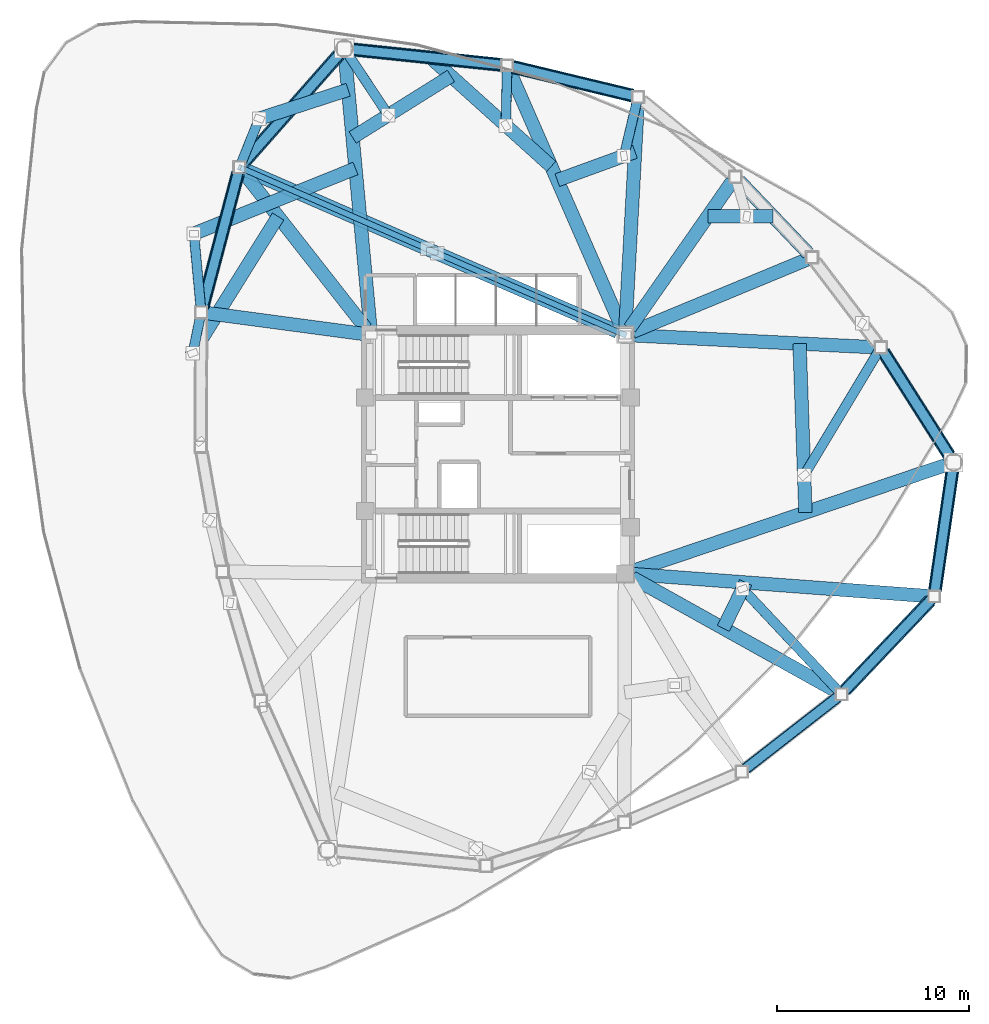
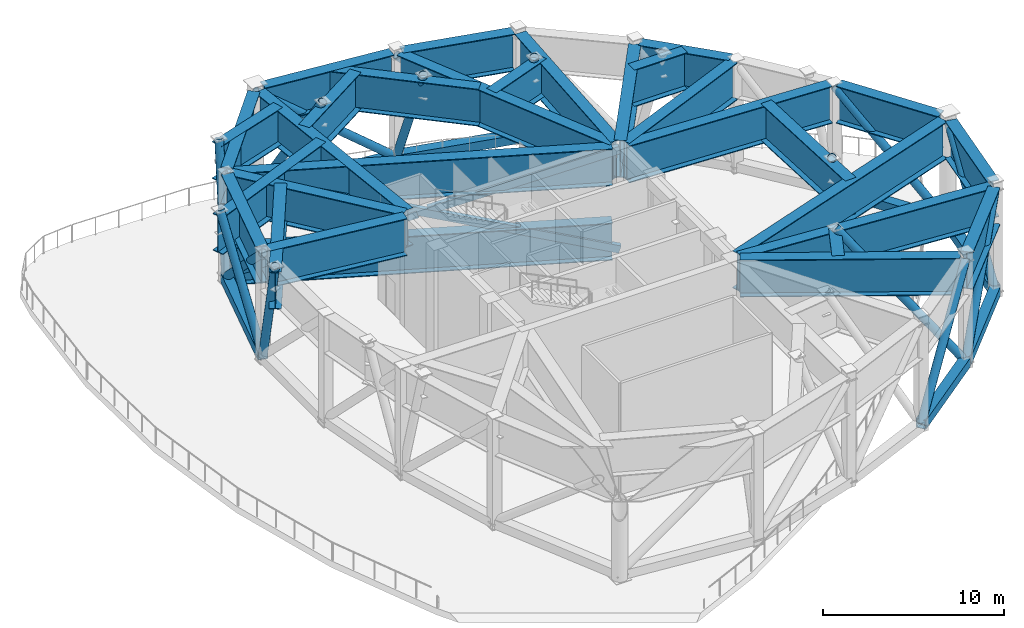
# One storey, part 2 of 8: 30 beams, 27 members.
"""IFC4 building model written with IfcOpenShell, lengths in metres."""

from ifc_helpers import new_model, si_unit, direction, frame, origin, origin_2d, place, context, subcontext, project, spatial, hollow_rectangle, hollow_circle, i_section, extrude, material, material_profile, profile_set, type_object, element, save


model = new_model("IFC4")

# Units and contexts
model_context = context("Model", 3, precision=1e-05, world=origin(), true_north=direction((0.0, 1.0)))
body_context = subcontext(model_context, "Body", "Model", "MODEL_VIEW")
ifc_project = project(units=[si_unit("LENGTHUNIT", "METRE"), si_unit("AREAUNIT", "SQUARE_METRE"), si_unit("VOLUMEUNIT", "CUBIC_METRE"), si_unit("PLANEANGLEUNIT", "RADIAN"), si_unit("MASSUNIT", "GRAM", prefix="KILO")], contexts=[model_context])

# Site, building, storey
site_placement = place(None, origin())
site = spatial("IfcSite", under=ifc_project, at=site_placement, CompositionType="ELEMENT")
building_placement = place(site_placement, origin())
building = spatial("IfcBuilding", under=site, at=building_placement, Name="Tavelor Broadcast Tower", CompositionType="ELEMENT")
storey_placement = place(building_placement, frame((0.0, 0.0, 209.14990234375)))
storey = spatial("IfcBuildingStorey", under=building, at=storey_placement, Name="L50", CompositionType="ELEMENT", Elevation=209.14990234375)

# Beams
ifc_material = material(Name="Steel S460", Category="steel")
ifc_material_profile_1 = material_profile(ifc_material, i_section(OverallWidth=0.699951171875, OverallDepth=2.5, WebThickness=0.031982421875, FlangeThickness=0.052001953125, at=origin_2d()), Name="PG 2500x700")
ifc_profile_set_1 = profile_set([ifc_material_profile_1], Name="Steel S460")
beam_type_1 = type_object("IfcBeamType", Name="Opposite Slide Transfer Girder HEB900", PredefinedType="BEAM", material=ifc_profile_set_1)
beam_1_placement = place(storey_placement, frame((41.720947265625, 65.7509765625, 6.25), z_axis=(-0.661625943185, -0.749834055845, 0.0), x_axis=(0.749834055845, -0.661625943185, 0.0)))
element("IfcBeam", 1, at=beam_1_placement, inside=storey, type_object=beam_type_1, Name="L50 Framed-Tube Ring Spandrel 01", PredefinedType="BEAM", context=body_context, shape_type="SweptSolid", body=[
    extrude(i_section(OverallWidth=0.699951171875, OverallDepth=2.5, WebThickness=0.031982421875, FlangeThickness=0.052001953125, at=origin_2d()), origin(), (0.0, 0.0, 1.0), 7.500732421875),
])
beam_2_placement = place(storey_placement, frame((36.493896484375, 59.63232421875, 6.25), z_axis=(-0.255762341211, -0.96673968824, 0.0), x_axis=(0.96673968824, -0.255762341211, 0.0)))
element("IfcBeam", 2, at=beam_2_placement, inside=storey, type_object=beam_type_1, Name="L50 Framed-Tube Ring Spandrel 02", PredefinedType="BEAM", context=body_context, shape_type="SweptSolid", body=[
    extrude(i_section(OverallWidth=0.699951171875, OverallDepth=2.5, WebThickness=0.031982421875, FlangeThickness=0.052001953125, at=origin_2d()), origin(), (0.0, 0.0, 1.0), 7.214599609375),
])
beam_3_placement = place(storey_placement, frame((68.04052734375, 32.74072265625, 6.25), z_axis=(0.688387662899, 0.725342970993, 0.0), x_axis=(-0.725342970993, 0.688387662899, 0.0)))
element("IfcBeam", 3, at=beam_3_placement, inside=storey, type_object=beam_type_1, Name="L50 Framed-Tube Ring Spandrel 11", PredefinedType="BEAM", context=body_context, shape_type="SweptSolid", body=[
    extrude(i_section(OverallWidth=0.699951171875, OverallDepth=2.5, WebThickness=0.031982421875, FlangeThickness=0.052001953125, at=origin_2d()), origin(), (0.0, 0.0, 1.0), 6.42138671875),
])
beam_4_placement = place(storey_placement, frame((72.700927734375, 37.892333984375, 6.25), z_axis=(0.144298223799, 0.989534245293, 0.0), x_axis=(-0.989534245293, 0.144298223799, 0.0)))
element("IfcBeam", 4, at=beam_4_placement, inside=storey, type_object=beam_type_1, Name="L50 Framed-Tube Ring Spandrel 12", PredefinedType="BEAM", context=body_context, shape_type="SweptSolid", body=[
    extrude(i_section(OverallWidth=0.699951171875, OverallDepth=2.5, WebThickness=0.031982421875, FlangeThickness=0.052001953125, at=origin_2d()), origin(), (0.0, 0.0, 1.0), 6.3193359375),
])
beam_5_placement = place(storey_placement, frame((73.440673828125, 44.94970703125, 6.25), z_axis=(-0.536287336864, 0.844035480486, 0.0), x_axis=(-0.844035480486, -0.536287336864, 0.0)))
element("IfcBeam", 5, at=beam_5_placement, inside=storey, type_object=beam_type_1, Name="L50 Framed-Tube Ring Spandrel 13", PredefinedType="BEAM", context=body_context, shape_type="SweptSolid", body=[
    extrude(i_section(OverallWidth=0.699951171875, OverallDepth=2.5, WebThickness=0.031982421875, FlangeThickness=0.052001953125, at=origin_2d()), origin(), (0.0, 0.0, 1.0), 6.340087890625),
])
beam_6_placement = place(storey_placement, frame((66.123291015625, 55.437255859375, 6.25), z_axis=(-0.689936010055, 0.723870362723, 0.0), x_axis=(-0.723870362723, -0.689936010055, 0.0)))
element("IfcBeam", 6, at=beam_6_placement, inside=storey, type_object=beam_type_1, Name="L50 Framed-Tube Ring Spandrel 15", PredefinedType="BEAM", context=body_context, shape_type="SweptSolid", body=[
    extrude(i_section(OverallWidth=0.699951171875, OverallDepth=2.5, WebThickness=0.031982421875, FlangeThickness=0.052001953125, at=origin_2d()), origin(), (0.0, 0.0, 1.0), 5.208740234375),
])
beam_7_placement = place(storey_placement, frame((56.99658203125, 63.635498046875, 6.25), z_axis=(-0.972354853411, 0.233508113452, 0.0), x_axis=(-0.233508113452, -0.972354853411, 0.0)))
element("IfcBeam", 7, at=beam_7_placement, inside=storey, type_object=beam_type_1, Name="L50 Framed-Tube Ring Spandrel 17", PredefinedType="BEAM", context=body_context, shape_type="SweptSolid", body=[
    extrude(i_section(OverallWidth=0.699951171875, OverallDepth=2.5, WebThickness=0.031982421875, FlangeThickness=0.052001953125, at=origin_2d()), origin(), (0.0, 0.0, 1.0), 6.421630859375),
])
beam_8_placement = place(storey_placement, frame((50.18603515625, 65.23193359375, 6.25), z_axis=(-0.99466284774, 0.103178579783, 0.0), x_axis=(-0.103178579783, -0.99466284774, 0.0)))
element("IfcBeam", 8, at=beam_8_placement, inside=storey, type_object=beam_type_1, Name="L50 Framed-Tube Ring Spandrel 18", PredefinedType="BEAM", context=body_context, shape_type="SweptSolid", body=[
    extrude(i_section(OverallWidth=0.699951171875, OverallDepth=2.5, WebThickness=0.031982421875, FlangeThickness=0.052001953125, at=origin_2d()), origin(), (0.0, 0.0, 1.0), 7.780029296875),
])
beam_9_placement = place(storey_placement, frame((43.35986328125, 51.630126953125, 6.25), z_axis=(-0.092926929372, 0.995672931136, 0.0), x_axis=(-0.995672931136, -0.092926929372, 0.0)))
element("IfcBeam", 9, at=beam_9_placement, inside=storey, type_object=beam_type_1, Name="L50 Radial Primary Floor Girder 01", PredefinedType="BEAM", context=body_context, shape_type="SweptSolid", body=[
    extrude(i_section(OverallWidth=0.699951171875, OverallDepth=2.5, WebThickness=0.031982421875, FlangeThickness=0.052001953125, at=origin_2d()), origin(), (0.0, 0.0, 1.0), 14.073974609375),
])
beam_10_placement = place(storey_placement, frame((43.13330078125, 51.539794921875, 6.25), z_axis=(-0.617155684101, 0.786841065007, 0.0), x_axis=(-0.786841065007, -0.617155684101, 0.0)))
element("IfcBeam", 10, at=beam_10_placement, inside=storey, type_object=beam_type_1, Name="L50 Radial Primary Floor Girder 02", PredefinedType="BEAM", context=body_context, shape_type="SweptSolid", body=[
    extrude(i_section(OverallWidth=0.699951171875, OverallDepth=2.5, WebThickness=0.031982421875, FlangeThickness=0.052001953125, at=origin_2d()), origin(), (0.0, 0.0, 1.0), 10.3505859375),
])
beam_11_placement = place(storey_placement, frame((42.9716796875, 51.257080078125, 6.25), z_axis=(-0.991183810809, 0.132493974169, 0.0), x_axis=(-0.132493974169, -0.991183810809, 0.0)))
element("IfcBeam", 11, at=beam_11_placement, inside=storey, type_object=beam_type_1, Name="L50 Radial Primary Floor Girder 03", PredefinedType="BEAM", context=body_context, shape_type="SweptSolid", body=[
    extrude(i_section(OverallWidth=0.699951171875, OverallDepth=2.5, WebThickness=0.031982421875, FlangeThickness=0.052001953125, at=origin_2d()), origin(), (0.0, 0.0, 1.0), 8.183349609375),
])
beam_12_placement = place(storey_placement, frame((56.977294921875, 38.589599609375, 6.25), z_axis=(0.8734199139, -0.486967816187, 0.0), x_axis=(0.486967816187, 0.8734199139, 0.0)))
element("IfcBeam", 12, at=beam_12_placement, inside=storey, type_object=beam_type_1, Name="L50 Radial Primary Floor Girder 11", PredefinedType="BEAM", context=body_context, shape_type="SweptSolid", body=[
    extrude(i_section(OverallWidth=0.699951171875, OverallDepth=2.5, WebThickness=0.031982421875, FlangeThickness=0.052001953125, at=origin_2d()), origin(), (0.0, 0.0, 1.0), 12.151611328125),
])
beam_13_placement = place(storey_placement, frame((57.03076171875, 38.76806640625, 6.25), z_axis=(0.997253315852, -0.074066348787, 0.0), x_axis=(0.074066348787, 0.997253315852, 0.0)))
element("IfcBeam", 13, at=beam_13_placement, inside=storey, type_object=beam_type_1, Name="L50 Radial Primary Floor Girder 12", PredefinedType="BEAM", context=body_context, shape_type="SweptSolid", body=[
    extrude(i_section(OverallWidth=0.699951171875, OverallDepth=2.5, WebThickness=0.031982421875, FlangeThickness=0.052001953125, at=origin_2d()), origin(), (0.0, 0.0, 1.0), 15.383544921875),
])
beam_14_placement = place(storey_placement, frame((57.00927734375, 38.9384765625, 6.25), z_axis=(0.947214639948, 0.320600102727, 0.0), x_axis=(-0.320600102727, 0.947214639948, 0.0)))
element("IfcBeam", 14, at=beam_14_placement, inside=storey, type_object=beam_type_1, Name="L50 Radial Primary Floor Girder 13", PredefinedType="BEAM", context=body_context, shape_type="SweptSolid", body=[
    extrude(i_section(OverallWidth=0.699951171875, OverallDepth=2.5, WebThickness=0.031982421875, FlangeThickness=0.052001953125, at=origin_2d()), origin(), (0.0, 0.0, 1.0), 17.15673828125),
])
beam_15_placement = place(storey_placement, frame((57.031494140625, 51.1787109375, 6.25), z_axis=(0.998783784198, -0.049304689662, 0.0), x_axis=(0.049304689662, 0.998783784198, 0.0)))
element("IfcBeam", 15, at=beam_15_placement, inside=storey, type_object=beam_type_1, Name="L50 Radial Primary Floor Girder 14", PredefinedType="BEAM", context=body_context, shape_type="SweptSolid", body=[
    extrude(i_section(OverallWidth=0.699951171875, OverallDepth=2.5, WebThickness=0.031982421875, FlangeThickness=0.052001953125, at=origin_2d()), origin(), (0.0, 0.0, 1.0), 12.582275390625),
])
beam_16_placement = place(storey_placement, frame((56.9990234375, 51.365478515625, 6.25), z_axis=(0.923827405628, 0.38280925356, 0.0), x_axis=(-0.38280925356, 0.923827405628, 0.0)))
element("IfcBeam", 16, at=beam_16_placement, inside=storey, type_object=beam_type_1, Name="L50 Radial Primary Floor Girder 15", PredefinedType="BEAM", context=body_context, shape_type="SweptSolid", body=[
    extrude(i_section(OverallWidth=0.699951171875, OverallDepth=2.5, WebThickness=0.031982421875, FlangeThickness=0.052001953125, at=origin_2d()), origin(), (0.0, 0.0, 1.0), 9.8037109375),
])
beam_17_placement = place(storey_placement, frame((56.84716796875, 51.55419921875, 6.25), z_axis=(0.572078083908, 0.820199162346, 0.0), x_axis=(-0.820199162346, 0.572078083908, 0.0)))
element("IfcBeam", 17, at=beam_17_placement, inside=storey, type_object=beam_type_1, Name="L50 Radial Primary Floor Girder 16", PredefinedType="BEAM", context=body_context, shape_type="SweptSolid", body=[
    extrude(i_section(OverallWidth=0.699951171875, OverallDepth=2.5, WebThickness=0.031982421875, FlangeThickness=0.052001953125, at=origin_2d()), origin(), (0.0, 0.0, 1.0), 9.29736328125),
])
beam_18_placement = place(storey_placement, frame((56.62353515625, 51.63134765625, 6.25), z_axis=(0.054637852805, 0.998506236856, 0.0), x_axis=(-0.998506236856, 0.054637852805, 0.0)))
element("IfcBeam", 18, at=beam_18_placement, inside=storey, type_object=beam_type_1, Name="L50 Radial Primary Floor Girder 17", PredefinedType="BEAM", context=body_context, shape_type="SweptSolid", body=[
    extrude(i_section(OverallWidth=0.699951171875, OverallDepth=2.5, WebThickness=0.031982421875, FlangeThickness=0.052001953125, at=origin_2d()), origin(), (0.0, 0.0, 1.0), 11.666748046875),
])
beam_19_placement = place(storey_placement, frame((56.4267578125, 51.595703125, 6.25), z_axis=(-0.4008997337, 0.916121937036, 0.0), x_axis=(-0.916121937036, -0.4008997337, 0.0)))
element("IfcBeam", 19, at=beam_19_placement, inside=storey, type_object=beam_type_1, Name="L50 Radial Primary Floor Girder 18", PredefinedType="BEAM", context=body_context, shape_type="SweptSolid", body=[
    extrude(i_section(OverallWidth=0.699951171875, OverallDepth=2.5, WebThickness=0.031982421875, FlangeThickness=0.052001953125, at=origin_2d()), origin(), (0.0, 0.0, 1.0), 14.564453125),
])
beam_20_placement = place(storey_placement, frame((38.57275390625, 57.3544921875, 6.25), z_axis=(-0.529914240962, -0.848051235024, 0.0), x_axis=(0.848051235024, -0.529914240962, 0.0)))
element("IfcBeam", 20, at=beam_20_placement, inside=storey, type_object=beam_type_1, Name="L50 Cantilever Transfer Girder 02", PredefinedType="BEAM", context=body_context, shape_type="SweptSolid", body=[
    extrude(i_section(OverallWidth=0.699951171875, OverallDepth=2.5, WebThickness=0.031982421875, FlangeThickness=0.052001953125, at=origin_2d()), origin(), (0.0, 0.0, 1.0), 8.550537109375),
])
beam_21_placement = place(storey_placement, frame((61.707763671875, 35.9521484375, 6.25), z_axis=(0.438349225853, 0.898804737523, 0.0), x_axis=(-0.898804737523, 0.438349225853, 0.0)))
element("IfcBeam", 21, at=beam_21_placement, inside=storey, type_object=beam_type_1, Name="L50 Transfer Header Girder 11", PredefinedType="BEAM", context=body_context, shape_type="SweptSolid", body=[
    extrude(i_section(OverallWidth=0.699951171875, OverallDepth=2.5, WebThickness=0.031982421875, FlangeThickness=0.052001953125, at=origin_2d()), origin(), (0.0, 0.0, 1.0), 2.650634765625),
])
beam_22_placement = place(storey_placement, frame((65.974853515625, 41.972900390625, 6.25), z_axis=(-0.034905442505, 0.999390619369, 0.0), x_axis=(-0.999390619369, -0.034905442505, 0.0)))
element("IfcBeam", 22, at=beam_22_placement, inside=storey, type_object=beam_type_1, Name="L50 Transfer Header Girder 12", PredefinedType="BEAM", context=body_context, shape_type="SweptSolid", body=[
    extrude(i_section(OverallWidth=0.699951171875, OverallDepth=2.5, WebThickness=0.031982421875, FlangeThickness=0.052001953125, at=origin_2d()), origin(), (0.0, 0.0, 1.0), 8.784912109375),
])
beam_23_placement = place(storey_placement, frame((60.8994140625, 57.364013671875, 6.25), z_axis=(1.0, 0.0, 0.0), x_axis=(0.0, 1.0, 0.0)))
element("IfcBeam", 23, at=beam_23_placement, inside=storey, type_object=beam_type_1, Name="L50 Transfer Header Girder 14", PredefinedType="BEAM", context=body_context, shape_type="SweptSolid", body=[
    extrude(i_section(OverallWidth=0.699951171875, OverallDepth=2.5, WebThickness=0.031982421875, FlangeThickness=0.052001953125, at=origin_2d()), origin(), (0.0, 0.0, 1.0), 3.387451171875),
])
beam_24_placement = place(storey_placement, frame((53.080322265625, 59.242919921875, 6.25), z_axis=(0.939692245491, 0.342021174438, 0.0), x_axis=(-0.342021174438, 0.939692245491, 0.0)))
element("IfcBeam", 24, at=beam_24_placement, inside=storey, type_object=beam_type_1, Name="L50 Transfer Header Girder 15", PredefinedType="BEAM", context=body_context, shape_type="SweptSolid", body=[
    extrude(i_section(OverallWidth=0.699951171875, OverallDepth=2.5, WebThickness=0.031982421875, FlangeThickness=0.052001953125, at=origin_2d()), origin(), (0.0, 0.0, 1.0), 4.29931640625),
])
beam_25_placement = place(storey_placement, frame((52.76611328125, 59.961181640625, 6.25), z_axis=(-0.743159099606, 0.669114752993, 0.0), x_axis=(-0.669114752993, -0.743159099606, 0.0)))
element("IfcBeam", 25, at=beam_25_placement, inside=storey, type_object=beam_type_1, Name="L50 Transfer Header Girder 16", PredefinedType="BEAM", context=body_context, shape_type="SweptSolid", body=[
    extrude(i_section(OverallWidth=0.699951171875, OverallDepth=2.5, WebThickness=0.031982421875, FlangeThickness=0.052001953125, at=origin_2d()), origin(), (0.0, 0.0, 1.0), 8.45068359375),
])
beam_26_placement = place(storey_placement, frame((42.4423828125, 61.461181640625, 6.25), z_axis=(0.848036992949, 0.529937032665, 0.0), x_axis=(-0.529937032665, 0.848036992949, 0.0)))
element("IfcBeam", 26, at=beam_26_placement, inside=storey, type_object=beam_type_1, Name="L50 Transfer Header Girder 17", PredefinedType="BEAM", context=body_context, shape_type="SweptSolid", body=[
    extrude(i_section(OverallWidth=0.699951171875, OverallDepth=2.5, WebThickness=0.031982421875, FlangeThickness=0.052001953125, at=origin_2d()), origin(), (0.0, 0.0, 1.0), 6.0263671875),
])
beam_27_placement = place(storey_placement, frame((42.2109375, 63.940185546875, 6.25), z_axis=(-0.951064335721, -0.308992927621, 0.0), x_axis=(0.308992927621, -0.951064335721, 0.0)))
element("IfcBeam", 27, at=beam_27_placement, inside=storey, type_object=beam_type_1, Name="L50 Cantilever Transfer Girder 18", PredefinedType="BEAM", context=body_context, shape_type="SweptSolid", body=[
    extrude(i_section(OverallWidth=0.699951171875, OverallDepth=2.5, WebThickness=0.031982421875, FlangeThickness=0.052001953125, at=origin_2d()), origin(), (0.0, 0.0, 1.0), 5.037841796875),
])
ifc_material_profile_2 = material_profile(ifc_material, i_section(OverallWidth=0.699951171875, OverallDepth=2.5, WebThickness=0.031982421875, FlangeThickness=0.052001953125, at=origin_2d()), Name="PG 2500x700")
ifc_profile_set_2 = profile_set([ifc_material_profile_2], Name="Steel S460")
beam_type_2 = type_object("IfcBeamType", Name="Podium Studio Transfer Truss Chord HEB1000", PredefinedType="BEAM", material=ifc_profile_set_2)
beam_28_placement = place(storey_placement, frame((42.592529296875, 59.85205078125, 6.25), z_axis=(-0.927191345264, -0.374588052757, 0.0), x_axis=(0.374588052757, -0.927191345264, 0.0)))
element("IfcBeam", 28, at=beam_28_placement, inside=storey, type_object=beam_type_2, Name="L50 Cantilever Transfer Girder 01", PredefinedType="BEAM", context=body_context, shape_type="SweptSolid", body=[
    extrude(i_section(OverallWidth=0.699951171875, OverallDepth=2.5, WebThickness=0.031982421875, FlangeThickness=0.052001953125, at=origin_2d()), origin(), (0.0, 0.0, 1.0), 9.2353515625),
])

# Members
ifc_material_profile_3 = material_profile(ifc_material, hollow_rectangle(XDim=0.60009765625, YDim=0.60009765625, WallThickness=0.035888671875, at=origin_2d()), Name="SHS 600x600x36")
ifc_profile_set_3 = profile_set([ifc_material_profile_3], Name="Steel S460")
member_type_1 = type_object("IfcMemberType", Name="Wind Floor Belt Truss Chord Member SHS600", PredefinedType="CHORD", material=ifc_profile_set_3)
member_1_placement = place(storey_placement, frame((42.01123046875, 66.080078125, 0.35009765625), z_axis=(-0.661620655681, -0.74983872131, 0.0), x_axis=(0.74983872131, -0.661620655681, 0.0)))
element("IfcMember", 29, at=member_1_placement, inside=storey, type_object=member_type_1, Name="L50 Belt Truss Lower Chord Member 01", PredefinedType="CHORD", context=body_context, shape_type="SweptSolid", body=[
    extrude(hollow_rectangle(XDim=0.60009765625, YDim=0.60009765625, WallThickness=0.035888671875, at=origin_2d()), origin(), (0.0, 0.0, 1.0), 8.227783203125),
])
member_2_placement = place(storey_placement, frame((36.567626953125, 59.91064453125, 0.35009765625), z_axis=(-0.255756460471, -0.96674124404, 0.0), x_axis=(0.96674124404, -0.255756460471, 0.0)))
element("IfcMember", 30, at=member_2_placement, inside=storey, type_object=member_type_1, Name="L50 Belt Truss Lower Chord Member 02", PredefinedType="CHORD", context=body_context, shape_type="SweptSolid", body=[
    extrude(hollow_rectangle(XDim=0.60009765625, YDim=0.60009765625, WallThickness=0.035888671875, at=origin_2d()), origin(), (0.0, 0.0, 1.0), 7.790283203125),
])
member_3_placement = place(storey_placement, frame((62.669189453125, 28.503173828125, 0.35009765625), z_axis=(0.788979145725, 0.614419976573, 0.0), x_axis=(-0.614419976573, 0.788979145725, 0.0)))
element("IfcMember", 31, at=member_3_placement, inside=storey, type_object=member_type_1, Name="L50 Belt Truss Lower Chord Member 10", PredefinedType="CHORD", context=body_context, shape_type="SweptSolid", body=[
    extrude(hollow_rectangle(XDim=0.60009765625, YDim=0.60009765625, WallThickness=0.035888671875, at=origin_2d()), origin(), (0.0, 0.0, 1.0), 6.556640625),
])
member_4_placement = place(storey_placement, frame((67.84228515625, 32.53173828125, 0.35009765625), z_axis=(0.688373422678, 0.725356485427, 0.0), x_axis=(-0.725356485427, 0.688373422678, 0.0)))
element("IfcMember", 32, at=member_4_placement, inside=storey, type_object=member_type_1, Name="L50 Belt Truss Lower Chord Member 11", PredefinedType="CHORD", context=body_context, shape_type="SweptSolid", body=[
    extrude(hollow_rectangle(XDim=0.60009765625, YDim=0.60009765625, WallThickness=0.035888671875, at=origin_2d()), origin(), (0.0, 0.0, 1.0), 6.99755859375),
])
member_5_placement = place(storey_placement, frame((72.6591796875, 37.607421875, 0.35009765625), z_axis=(0.144316788825, 0.989531537882, 0.0), x_axis=(-0.989531537882, 0.144316788825, 0.0)))
element("IfcMember", 33, at=member_5_placement, inside=storey, type_object=member_type_1, Name="L50 Belt Truss Lower Chord Member 12", PredefinedType="CHORD", context=body_context, shape_type="SweptSolid", body=[
    extrude(hollow_rectangle(XDim=0.60009765625, YDim=0.60009765625, WallThickness=0.035888671875, at=origin_2d()), origin(), (0.0, 0.0, 1.0), 7.0458984375),
])
member_6_placement = place(storey_placement, frame((73.676025390625, 44.57958984375, 0.35009765625), z_axis=(-0.536309814544, 0.844021198089, 0.0), x_axis=(-0.844021198089, -0.536309814544, 0.0)))
element("IfcMember", 34, at=member_6_placement, inside=storey, type_object=member_type_1, Name="L50 Belt Truss Lower Chord Member 13", PredefinedType="CHORD", context=body_context, shape_type="SweptSolid", body=[
    extrude(hollow_rectangle(XDim=0.60009765625, YDim=0.60009765625, WallThickness=0.035888671875, at=origin_2d()), origin(), (0.0, 0.0, 1.0), 7.06689453125),
])
member_7_placement = place(storey_placement, frame((57.276611328125, 63.568359375, 0.35009765625), z_axis=(-0.972361960675, 0.233478515997, 0.0), x_axis=(-0.233478515997, -0.972361960675, 0.0)))
element("IfcMember", 35, at=member_7_placement, inside=storey, type_object=member_type_1, Name="L50 Belt Truss Lower Chord Member 17", PredefinedType="CHORD", context=body_context, shape_type="SweptSolid", body=[
    extrude(hollow_rectangle(XDim=0.60009765625, YDim=0.60009765625, WallThickness=0.035888671875, at=origin_2d()), origin(), (0.0, 0.0, 1.0), 6.99755859375),
])
member_8_placement = place(storey_placement, frame((50.472412109375, 65.2021484375, 0.35009765625), z_axis=(-0.994660041419, 0.103205629712, 0.0), x_axis=(-0.103205629712, -0.994660041419, 0.0)))
element("IfcMember", 36, at=member_8_placement, inside=storey, type_object=member_type_1, Name="L50 Belt Truss Lower Chord Member 18", PredefinedType="CHORD", context=body_context, shape_type="SweptSolid", body=[
    extrude(hollow_rectangle(XDim=0.60009765625, YDim=0.60009765625, WallThickness=0.035888671875, at=origin_2d()), origin(), (0.0, 0.0, 1.0), 8.506591796875),
])
ifc_material_profile_4 = material_profile(ifc_material, hollow_circle(Radius=0.25390625, WallThickness=0.02490234375, at=origin_2d()), Name="CHS 508x25")
ifc_profile_set_4 = profile_set([ifc_material_profile_4], Name="Steel S460")
member_type_2 = type_object("IfcMemberType", Name="Wind Floor Belt Truss Diagonal CHS508", PredefinedType="BRACE", material=ifc_profile_set_4)
member_9_placement = place(storey_placement, frame((42.01123046875, 66.080078125, 0.35009765625), z_axis=(-0.508462579955, -0.576259110888, 0.639836886952), x_axis=(0.74983872131, -0.661620655681, 0.0)))
element("IfcMember", 37, at=member_9_placement, inside=storey, type_object=member_type_2, Name="L50 Belt Truss Web Diagonal 01", PredefinedType="BRACE", context=body_context, shape_type="SweptSolid", body=[
    extrude(hollow_circle(Radius=0.25390625, WallThickness=0.02490234375, at=origin_2d()), origin(), (0.0, 0.0, 1.0), 10.7060546875),
])
member_10_placement = place(storey_placement, frame((36.567626953125, 59.91064453125, 0.35009765625), z_axis=(-0.192065940712, -0.725995605819, 0.66033404785), x_axis=(0.96674124404, -0.255756460471, 0.0)))
element("IfcMember", 38, at=member_10_placement, inside=storey, type_object=member_type_2, Name="L50 Belt Truss Web Diagonal 02", PredefinedType="BRACE", context=body_context, shape_type="SweptSolid", body=[
    extrude(hollow_circle(Radius=0.25390625, WallThickness=0.02490234375, at=origin_2d()), origin(), (0.0, 0.0, 1.0), 10.373779296875),
])
member_11_placement = place(storey_placement, frame((62.669189453125, 28.503173828125, 0.35009765625), z_axis=(0.545552612393, 0.424850802638, 0.722408570415), x_axis=(-0.614419976573, 0.788979145725, 0.0)))
element("IfcMember", 39, at=member_11_placement, inside=storey, type_object=member_type_2, Name="L50 Belt Truss Web Diagonal 10", PredefinedType="BRACE", context=body_context, shape_type="SweptSolid", body=[
    extrude(hollow_circle(Radius=0.25390625, WallThickness=0.02490234375, at=origin_2d()), origin(), (0.0, 0.0, 1.0), 9.482421875),
])
member_12_placement = place(storey_placement, frame((67.84228515625, 32.53173828125, 0.35009765625), z_axis=(0.491907026463, 0.518334874818, 0.699540159579), x_axis=(-0.725356485427, 0.688373422678, 0.0)))
element("IfcMember", 40, at=member_12_placement, inside=storey, type_object=member_type_2, Name="L50 Belt Truss Web Diagonal 11", PredefinedType="BRACE", context=body_context, shape_type="SweptSolid", body=[
    extrude(hollow_circle(Radius=0.25390625, WallThickness=0.02490234375, at=origin_2d()), origin(), (0.0, 0.0, 1.0), 9.792236328125),
])
member_13_placement = place(storey_placement, frame((72.6591796875, 37.607421875, 0.35009765625), z_axis=(0.103475212569, 0.709494626784, 0.697072632477), x_axis=(-0.989531537882, 0.144316788825, 0.0)))
element("IfcMember", 41, at=member_13_placement, inside=storey, type_object=member_type_2, Name="L50 Belt Truss Web Diagonal 12", PredefinedType="BRACE", context=body_context, shape_type="SweptSolid", body=[
    extrude(hollow_circle(Radius=0.25390625, WallThickness=0.02490234375, at=origin_2d()), origin(), (0.0, 0.0, 1.0), 9.826904296875),
])
member_14_placement = place(storey_placement, frame((73.676025390625, 44.57958984375, 0.35009765625), z_axis=(-0.385088860976, 0.606036199595, 0.69600768238), x_axis=(-0.844021198089, -0.536309814544, 0.0)))
element("IfcMember", 42, at=member_14_placement, inside=storey, type_object=member_type_2, Name="L50 Belt Truss Web Diagonal 13", PredefinedType="BRACE", context=body_context, shape_type="SweptSolid", body=[
    extrude(hollow_circle(Radius=0.25390625, WallThickness=0.02490234375, at=origin_2d()), origin(), (0.0, 0.0, 1.0), 9.842041015625),
])
member_15_placement = place(storey_placement, frame((57.276611328125, 63.568359375, 0.35009765625), z_axis=(-0.694848040208, 0.166843311269, 0.699535210339), x_axis=(-0.233478515997, -0.972361960675, 0.0)))
element("IfcMember", 43, at=member_15_placement, inside=storey, type_object=member_type_2, Name="L50 Belt Truss Web Diagonal 17", PredefinedType="BRACE", context=body_context, shape_type="SweptSolid", body=[
    extrude(hollow_circle(Radius=0.25390625, WallThickness=0.02490234375, at=origin_2d()), origin(), (0.0, 0.0, 1.0), 9.792236328125),
])
member_16_placement = place(storey_placement, frame((50.472412109375, 65.2021484375, 0.35009765625), z_axis=(-0.774704232784, 0.080383080506, 0.627193679875), x_axis=(-0.103205629712, -0.994660041419, 0.0)))
element("IfcMember", 44, at=member_16_placement, inside=storey, type_object=member_type_2, Name="L50 Belt Truss Web Diagonal 18", PredefinedType="BRACE", context=body_context, shape_type="SweptSolid", body=[
    extrude(hollow_circle(Radius=0.25390625, WallThickness=0.02490234375, at=origin_2d()), origin(), (0.0, 0.0, 1.0), 10.921875),
])
member_17_placement = place(storey_placement, frame((34.5751953125, 52.37939453125, 0.35009765625), z_axis=(-0.044562909617, 0.479912674831, 0.876183754485), x_axis=(-0.995716535017, -0.092458541483, 0.0)))
element("IfcMember", 45, at=member_17_placement, inside=storey, type_object=member_type_2, Name="L50 Slide Transfer Raking Strut 01", PredefinedType="BRACE", context=body_context, shape_type="SweptSolid", body=[
    extrude(hollow_circle(Radius=0.25390625, WallThickness=0.02490234375, at=origin_2d()), origin(), (0.0, 0.0, 1.0), 8.502685546875),
])
member_18_placement = place(storey_placement, frame((34.5751953125, 52.37939453125, 0.35009765625), z_axis=(-0.056448628698, -0.273684600009, 0.960161596835), x_axis=(0.979385029759, -0.202002384846, 0.0)))
element("IfcMember", 46, at=member_18_placement, inside=storey, type_object=member_type_2, Name="L50 Slide Transfer Raking Strut 02", PredefinedType="BRACE", context=body_context, shape_type="SweptSolid", body=[
    extrude(hollow_circle(Radius=0.25390625, WallThickness=0.02490234375, at=origin_2d()), origin(), (0.0, 0.0, 1.0), 7.759033203125),
])
member_19_placement = place(storey_placement, frame((67.84228515625, 32.53173828125, 0.35009765625), z_axis=(-0.485228102443, 0.517941406333, 0.704478806073), x_axis=(-0.729777572633, -0.683684645492, 0.0)))
element("IfcMember", 47, at=member_19_placement, inside=storey, type_object=member_type_2, Name="L50 Slide Transfer Raking Strut 11", PredefinedType="BRACE", context=body_context, shape_type="SweptSolid", body=[
    extrude(hollow_circle(Radius=0.25390625, WallThickness=0.02490234375, at=origin_2d()), origin(), (0.0, 0.0, 1.0), 10.5751953125),
])
member_20_placement = place(storey_placement, frame((69.885986328125, 50.544189453125, 0.35009765625), z_axis=(-0.370454068582, -0.61774926476, 0.693649500079), x_axis=(0.8576126362, -0.514296185316, 0.0)))
element("IfcMember", 48, at=member_20_placement, inside=storey, type_object=member_type_2, Name="L50 Slide Transfer Raking Strut 12", PredefinedType="BRACE", context=body_context, shape_type="SweptSolid", body=[
    extrude(hollow_circle(Radius=0.25390625, WallThickness=0.02490234375, at=origin_2d()), origin(), (0.0, 0.0, 1.0), 10.740234375),
])
member_21_placement = place(storey_placement, frame((57.276611328125, 63.568359375, 0.35009765625), z_axis=(-0.090368796313, -0.378830582006, 0.921043359886), x_axis=(0.972707171568, -0.232036114387, 0.0)))
element("IfcMember", 49, at=member_21_placement, inside=storey, type_object=member_type_2, Name="L50 Slide Transfer Raking Strut 15", PredefinedType="BRACE", context=body_context, shape_type="SweptSolid", body=[
    extrude(hollow_circle(Radius=0.25390625, WallThickness=0.02490234375, at=origin_2d()), origin(), (0.0, 0.0, 1.0), 8.088623046875),
])
member_22_placement = place(storey_placement, frame((50.472412109375, 65.2021484375, 0.35009765625), z_axis=(-0.008071445694, -0.385978346891, 0.922472529399), x_axis=(0.999781423045, -0.02090708333, 0.0)))
element("IfcMember", 50, at=member_22_placement, inside=storey, type_object=member_type_2, Name="L50 Slide Transfer Raking Strut 16", PredefinedType="BRACE", context=body_context, shape_type="SweptSolid", body=[
    extrude(hollow_circle(Radius=0.25390625, WallThickness=0.02490234375, at=origin_2d()), origin(), (0.0, 0.0, 1.0), 8.076171875),
])
member_23_placement = place(storey_placement, frame((42.01123046875, 66.080078125, 0.35009765625), z_axis=(0.268299046781, -0.405655559845, 0.873761516813), x_axis=(0.834073630964, 0.551653132077, 0.0)))
element("IfcMember", 51, at=member_23_placement, inside=storey, type_object=member_type_2, Name="L50 Slide Transfer Raking Strut 17", PredefinedType="BRACE", context=body_context, shape_type="SweptSolid", body=[
    extrude(hollow_circle(Radius=0.25390625, WallThickness=0.02490234375, at=origin_2d()), origin(), (0.0, 0.0, 1.0), 8.5263671875),
])
member_24_placement = place(storey_placement, frame((36.567626953125, 59.91064453125, 0.35009765625), z_axis=(0.128969283404, 0.318715072348, 0.939035476751), x_axis=(-0.926981642558, 0.375106697302, 0.0)))
element("IfcMember", 52, at=member_24_placement, inside=storey, type_object=member_type_2, Name="L50 Slide Transfer Raking Strut 18", PredefinedType="BRACE", context=body_context, shape_type="SweptSolid", body=[
    extrude(hollow_circle(Radius=0.25390625, WallThickness=0.02490234375, at=origin_2d()), origin(), (0.0, 0.0, 1.0), 7.93359375),
])

# Beams
ifc_material_profile_5 = material_profile(ifc_material, i_section(OverallWidth=0.699951171875, OverallDepth=2.5, WebThickness=0.031982421875, FlangeThickness=0.052001953125, at=origin_2d()), Name="PG 2500x700")
ifc_profile_set_5 = profile_set([ifc_material_profile_5], Name="Steel S460")
beam_type_3 = type_object("IfcBeamType", Name="Wind Floor Outrigger Truss Chord HEB1000", PredefinedType="BEAM", material=ifc_profile_set_5)
for number, where, z_axis, x_axis, name in (
    (53, (56.203857421875, 51.372314453125, 6.25), (-0.917053702455, 0.39876372304, 0.0), (-0.39876372304, -0.917053702455, 0.0), "L50 Outrigger Truss Top Chord 2"),
    (54, (56.203857421875, 51.372314453125, 1.25), (-0.917053702455, 0.39876372304, 0.0), (-0.39876372304, -0.917053702455, 0.0), "L50 Outrigger Truss Bottom Chord 2"),
):
    element("IfcBeam", number, at=place(storey_placement, frame(where, z_axis=z_axis, x_axis=x_axis)), inside=storey, type_object=beam_type_3, Name=name, PredefinedType="BEAM", context=body_context, shape_type="SweptSolid", body=[
        extrude(i_section(OverallWidth=0.699951171875, OverallDepth=2.5, WebThickness=0.031982421875, FlangeThickness=0.052001953125, at=origin_2d()), origin(), (0.0, 0.0, 1.0), 21.124267578125),
    ])

# Members
ifc_material_profile_6 = material_profile(ifc_material, hollow_rectangle(XDim=0.300048828125, YDim=0.5, WallThickness=0.02490234375, at=origin_2d()), Name="RHS 500x300x25")
ifc_profile_set_6 = profile_set([ifc_material_profile_6], Name="Steel S460")
member_type_3 = type_object("IfcMemberType", Name="Wind Floor Outrigger Truss Diagonal RHS500", PredefinedType="BRACE", material=ifc_profile_set_6)
member_25_placement = place(storey_placement, frame((56.60009765625, 51.199951171875, 0.550048828125), z_axis=(-0.876742496617, 0.381232807293, 0.293230525815), x_axis=(-0.398761665827, -0.917054596993, 0.0)))
element("IfcMember", 55, at=member_25_placement, inside=storey, type_object=member_type_3, Name="L50 Outrigger Truss Diagonal 2A", PredefinedType="BRACE", context=body_context, shape_type="SweptSolid", body=[
    extrude(hollow_rectangle(XDim=0.300048828125, YDim=0.5, WallThickness=0.02490234375, at=origin_2d()), origin(), (0.0, 0.0, 1.0), 22.8486328125),
])
member_26_placement = place(storey_placement, frame((36.567626953125, 59.91064453125, 0.550048828125), z_axis=(0.876734629337, -0.381236764869, 0.293248902528), x_axis=(0.398768156403, 0.917051774677, 0.0)))
element("IfcMember", 56, at=member_26_placement, inside=storey, type_object=member_type_3, Name="L50 Outrigger Truss Lower Half-Diagonal 2B1", PredefinedType="BRACE", context=body_context, shape_type="SweptSolid", body=[
    extrude(hollow_rectangle(XDim=0.300048828125, YDim=0.5, WallThickness=0.02490234375, at=origin_2d()), origin(), (0.0, 0.0, 1.0), 11.1044921875),
])
member_27_placement = place(storey_placement, frame((46.864501953125, 55.433349609375, 3.993896484375), z_axis=(0.876740281805, -0.381239222773, 0.293228807043), x_axis=(0.398768156403, 0.917051774677, 0.0)))
element("IfcMember", 57, at=member_27_placement, inside=storey, type_object=member_type_3, Name="L50 Outrigger Truss Upper Half-Diagonal 2B2", PredefinedType="BRACE", context=body_context, shape_type="SweptSolid", body=[
    extrude(hollow_rectangle(XDim=0.300048828125, YDim=0.5, WallThickness=0.02490234375, at=origin_2d()), origin(), (0.0, 0.0, 1.0), 11.104248046875),
])

save(model, "model.ifc")
